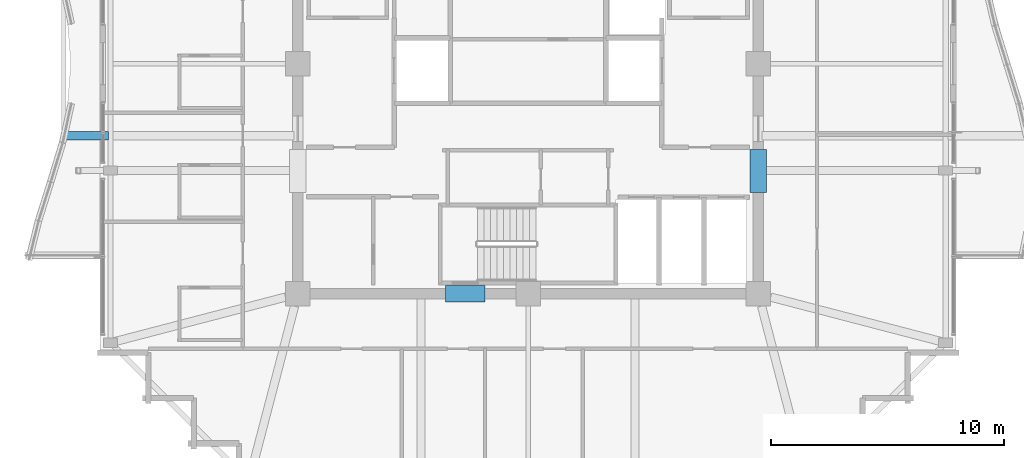
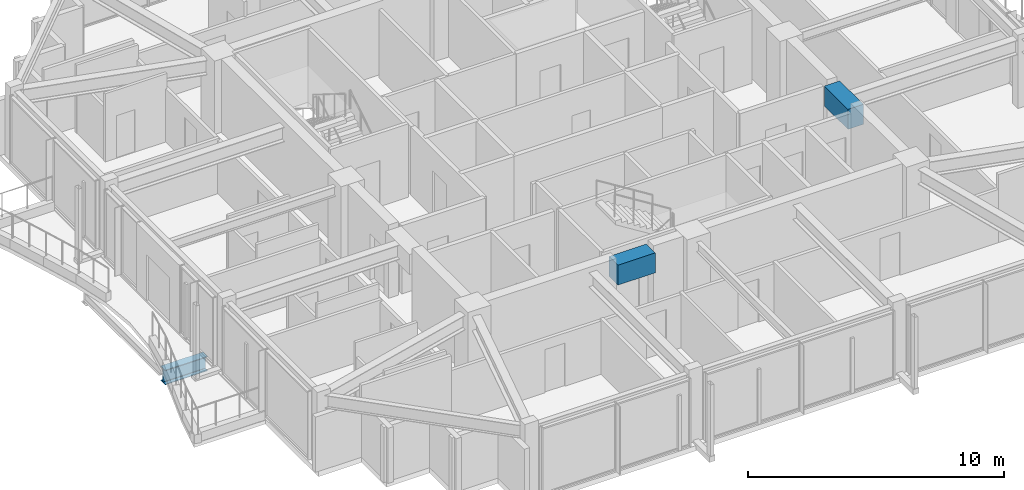
# One storey, part 7 of 31: 3 beams.
"""IFC4 building model written with IfcOpenShell, lengths in metres."""

import ifcopenshell
import ifcopenshell.guid

model = None  # the IFC model being written
_history = None  # IfcOwnerHistory: only IFC2X3 demands one
_inside = {}  # id of a spatial element -> (the spatial element, [elements in it])
_under = {}  # id of a project, library or spatial element -> (it, [spatial elements below it])
_declared = {}  # id of a project -> (the project, [libraries it declares])
_typed = {}  # id of a type object -> (the type object, [elements of that type])
_made_of = {}  # id of a material, layer set ... -> (it, [elements and type objects made of it])


def new_model(schema):
    """Start an empty IFC model of exactly this schema.

    Asked for "IFC4X3", IfcOpenShell would pick the latest addendum, in which some entities
    have other attributes; the version numbers below select the first issue.
    IFC2X3 requires an IfcOwnerHistory on every rooted entity: one is made here for all.
    """
    global model, _history
    if schema == "IFC4X3":
        model = ifcopenshell.file(schema_version=(4, 3, 0, 0))
    else:
        model = ifcopenshell.file(schema=schema)
    _inside.clear()
    _under.clear()
    _declared.clear()
    _typed.clear()
    _made_of.clear()
    _history = None
    if model.schema == "IFC2X3":
        org = make("IfcOrganization", Name="unknown")
        user = make(
            "IfcPersonAndOrganization",
            ThePerson=make("IfcPerson", FamilyName="unknown"),
            TheOrganization=org,
        )
        app = make(
            "IfcApplication",
            ApplicationDeveloper=org,
            Version="unknown",
            ApplicationFullName="unknown",
            ApplicationIdentifier="unknown",
        )
        _history = make(
            "IfcOwnerHistory",
            OwningUser=user,
            OwningApplication=app,
            ChangeAction="ADDED",
            CreationDate=0,
        )
    return model


def make(cls, **values):
    """One entity of the class cls with the attributes given. An attribute that is None is left unset."""
    return model.create_entity(
        cls, **{name: value for name, value in values.items() if value is not None}
    )


def rooted(cls, **values):
    """An entity with a GlobalId (a new one), such as an element, a storey or a relation."""
    return make(cls, GlobalId=ifcopenshell.guid.new(), OwnerHistory=_history, **values)


def si_unit(unit_type, name, prefix=None):
    """IfcSIUnit, for example si_unit("LENGTHUNIT", "METRE", prefix="MILLI")."""
    return make("IfcSIUnit", UnitType=unit_type, Prefix=prefix, Name=name)


def assignment(units):
    """IfcUnitAssignment: the units of a project."""
    return None if units is None else make("IfcUnitAssignment", Units=units)


def point(xyz):
    """IfcCartesianPoint."""
    return None if xyz is None else make("IfcCartesianPoint", Coordinates=xyz)


def direction(xyz):
    """IfcDirection."""
    return None if xyz is None else make("IfcDirection", DirectionRatios=xyz)


def frame(location, z_axis=None, x_axis=None):
    """IfcAxis2Placement3D, a coordinate frame: its origin and axes. An axis left out is left unset."""
    return make(
        "IfcAxis2Placement3D",
        Location=point(location),
        Axis=direction(z_axis),
        RefDirection=direction(x_axis),
    )


def frame_2d(location, x_axis=None):
    """IfcAxis2Placement2D, a coordinate frame in the plane: its origin and x axis."""
    return make(
        "IfcAxis2Placement2D", Location=point(location), RefDirection=direction(x_axis)
    )


def origin():
    """The frame at (0, 0, 0) with its axes left unset."""
    return frame((0.0, 0.0, 0.0))


def origin_2d():
    """The frame at (0, 0) in the plane with its x axis left unset."""
    return frame_2d((0.0, 0.0))


def place(relative_to, where):
    """IfcLocalPlacement: puts the frame where relative to a parent placement (None: the world)."""
    return make(
        "IfcLocalPlacement", PlacementRelTo=relative_to, RelativePlacement=where
    )


def context(
    kind, dimensions, precision=None, world=None, true_north=None, identifier=None
):
    """IfcGeometricRepresentationContext, for example the 3D "Model" context."""
    return make(
        "IfcGeometricRepresentationContext",
        ContextIdentifier=identifier,
        ContextType=kind,
        CoordinateSpaceDimension=dimensions,
        Precision=precision,
        WorldCoordinateSystem=world,
        TrueNorth=true_north,
    )


def subcontext(parent, identifier, kind, view, scale=None):
    """IfcGeometricRepresentationSubContext, for example "Body" below "Model"."""
    return make(
        "IfcGeometricRepresentationSubContext",
        ContextIdentifier=identifier,
        ContextType=kind,
        ParentContext=parent,
        TargetScale=scale,
        TargetView=view,
    )


def project(units=None, contexts=None):
    """IfcProject with its units and contexts."""
    return rooted(
        "IfcProject",
        Name="project",
        RepresentationContexts=contexts,
        UnitsInContext=assignment(units),
    )


def spatial(cls, under=None, at=None, **own):
    """A site, building, storey or space (cls), placed at a placement, below another one or the project."""
    s = rooted(cls, ObjectPlacement=at, **own)
    if under is not None:
        _under.setdefault(under.id(), (under, []))[1].append(s)
    return s


def profile(cls, at=None, kind="AREA", **sizes):
    """A parametric profile (cls). Its sizes go by their IFC names, for example OverallWidth=200.0."""
    return make(cls, ProfileType=kind, Position=at, **sizes)


def rectangle(**sizes):
    """IfcRectangleProfileDef."""
    return profile("IfcRectangleProfileDef", **sizes)


def i_section(**sizes):
    """IfcIShapeProfileDef."""
    return profile("IfcIShapeProfileDef", **sizes)


def extrude(swept, where, along, depth):
    """IfcExtrudedAreaSolid: the profile swept, set in the frame where, extruded along a direction by depth."""
    return make(
        "IfcExtrudedAreaSolid",
        SweptArea=swept,
        Position=where,
        ExtrudedDirection=direction(along),
        Depth=depth,
    )


def shape(context_of_items, identifier, shape_type, items):
    """IfcShapeRepresentation: the items that make up one representation, for example the "Body"."""
    return make(
        "IfcShapeRepresentation",
        ContextOfItems=context_of_items,
        RepresentationIdentifier=identifier,
        RepresentationType=shape_type,
        Items=items,
    )


def material(Name=None, Category=None):
    """IfcMaterial."""
    return make("IfcMaterial", Name=Name, Category=Category)


def material_profile(
    of_material, cross_section, Name=None, Category=None, Priority=None
):
    """IfcMaterialProfile: a cross section and its material."""
    return make(
        "IfcMaterialProfile",
        Name=Name,
        Material=of_material,
        Profile=cross_section,
        Priority=Priority,
        Category=Category,
    )


def profile_set(profiles, Name=None, composite=None):
    """IfcMaterialProfileSet."""
    return make(
        "IfcMaterialProfileSet",
        Name=Name,
        MaterialProfiles=profiles,
        CompositeProfile=composite,
    )


def made_of(thing, what):
    """Note that an element or type object is made of a material, layer set ...; save() writes the relation."""
    if what is not None:
        _made_of.setdefault(what.id(), (what, []))[1].append(thing)
    return thing


def type_object(cls, material=None, **own):
    """A type object (cls), such as IfcWallType, which elements share."""
    return made_of(rooted(cls, **own), material)


def element(
    cls,
    number,
    at=None,
    inside=None,
    cuts=None,
    type_object=None,
    material=None,
    context=None,
    identifier="Body",
    shape_type=None,
    held_by="IfcProductDefinitionShape",
    body=None,
    shapes=None,
    **own,
):
    """One element of the class cls, such as IfcWall. Its Tag is "e" and its number.

    at: its placement. inside: the storey or other place that contains it. cuts: it is an
    opening in that element (IfcRelVoidsElement). A single representation is given by context,
    identifier, shape_type and body (its items); several are given by shapes. held_by: the class
    of the entity that holds the representations. save() writes the other relations.
    """
    e = rooted(cls, Tag="e%d" % number, ObjectPlacement=at, **own)
    if body is not None:
        shapes = [shape(context, identifier, shape_type, body)]
    if shapes is not None:
        e.Representation = make(held_by, Representations=shapes)
    if inside is not None:
        _inside.setdefault(inside.id(), (inside, []))[1].append(e)
    if cuts is not None:
        rooted(
            "IfcRelVoidsElement", RelatingBuildingElement=cuts, RelatedOpeningElement=e
        )
    if type_object is not None:
        _typed.setdefault(type_object.id(), (type_object, []))[1].append(e)
    return made_of(e, material)


def aggregate(whole, parts):
    """IfcRelAggregates: a whole, such as a stair, and the parts it consists of."""
    return rooted("IfcRelAggregates", RelatingObject=whole, RelatedObjects=parts)


def save(model, path):
    """Write the relations noted so far, then the file.

    IfcRelAggregates (storeys below a building ...), IfcRelContainedInSpatialStructure (elements
    in a storey), IfcRelDefinesByType, IfcRelAssociatesMaterial and IfcRelDeclares: one each for
    every whole, place, type object, material and project.
    """
    for whole, parts in _under.values():
        aggregate(whole, parts)
    for where, things in _inside.values():
        rooted(
            "IfcRelContainedInSpatialStructure",
            RelatedElements=things,
            RelatingStructure=where,
        )
    for kind, things in _typed.values():
        rooted("IfcRelDefinesByType", RelatedObjects=things, RelatingType=kind)
    for what, things in _made_of.values():
        rooted("IfcRelAssociatesMaterial", RelatedObjects=things, RelatingMaterial=what)
    for by, libraries in _declared.values():
        rooted("IfcRelDeclares", RelatingContext=by, RelatedDefinitions=libraries)
    model.write(path)


model = new_model("IFC4")

# Units and contexts
model_context = context("Model", 3, precision=1e-05, world=origin(), true_north=direction((0.0, 1.0)))
body_context = subcontext(model_context, "Body", "Model", "MODEL_VIEW")
ifc_project = project(units=[si_unit("LENGTHUNIT", "METRE"), si_unit("AREAUNIT", "SQUARE_METRE"), si_unit("VOLUMEUNIT", "CUBIC_METRE"), si_unit("PLANEANGLEUNIT", "RADIAN"), si_unit("MASSUNIT", "GRAM", prefix="KILO")], contexts=[model_context])

# Site, building, storey
site_placement = place(None, origin())
site = spatial("IfcSite", under=ifc_project, at=site_placement, CompositionType="ELEMENT")
building_placement = place(site_placement, origin())
building = spatial("IfcBuilding", under=site, at=building_placement, Name="Kolvaren Belvedere", CompositionType="ELEMENT")
storey_placement = place(building_placement, frame((0.0, 0.0, 251.39990234375)))
storey = spatial("IfcBuildingStorey", under=building, at=storey_placement, Name="L73", CompositionType="ELEMENT", Elevation=251.39990234375)

# Beams
ifc_material_1 = material(Name="Structural steel ASTM A992 Grade 50", Category="steel")
ifc_material_profile_1 = material_profile(ifc_material_1, i_section(OverallWidth=0.35498046875, OverallDepth=0.696044921875, WebThickness=0.015380859375, FlangeThickness=0.02490234375, FilletRadius=0.02197265625, at=origin_2d()), Name="W27X146")
ifc_profile_set_1 = profile_set([ifc_material_profile_1], Name="Structural steel ASTM A992 Grade 50")
beam_type_1 = type_object("IfcBeamType", Name="BM-CANT-BAL", PredefinedType="BEAM", material=ifc_profile_set_1)
beam_1_placement = place(storey_placement, frame((-18.044921875, -3.10009765625, -0.597900390625), z_axis=(-1.0, 0.0, 0.0), x_axis=(0.0, -1.0, 0.0)))
element("IfcBeam", 1, at=beam_1_placement, inside=storey, type_object=beam_type_1, Name="L73 Planted Balcony Cantilever BAL-W-1", PredefinedType="BEAM", context=body_context, shape_type="SweptSolid", body=[
    extrude(i_section(OverallWidth=0.35498046875, OverallDepth=0.696044921875, WebThickness=0.015380859375, FlangeThickness=0.02490234375, FilletRadius=0.02197265625, at=origin_2d()), origin(), (0.0, 0.0, 1.0), 1.91943359375),
])
ifc_material_2 = material(Name="Concrete C60/75", Category="concrete")
ifc_material_profile_2 = material_profile(ifc_material_2, rectangle(XDim=0.699951171875, YDim=0.949951171875, at=origin_2d()), Name="RC 700X950")
ifc_profile_set_2 = profile_set([ifc_material_profile_2], Name="Concrete C60/75")
beam_type_2 = type_object("IfcBeamType", Name="BM-LINT-950", PredefinedType="LINTEL", material=ifc_profile_set_2)
beam_2_placement = place(storey_placement, frame((-3.5400390625, -9.89990234375, 2.775146484375), z_axis=(1.0, 0.0, 0.0), x_axis=(0.0, 1.0, 0.0)))
element("IfcBeam", 2, at=beam_2_placement, inside=storey, type_object=beam_type_2, Name="L73 South Core Coupling Lintel", PredefinedType="LINTEL", context=body_context, shape_type="SweptSolid", body=[
    extrude(rectangle(XDim=0.699951171875, YDim=0.949951171875, at=origin_2d()), origin(), (0.0, 0.0, 1.0), 1.679931640625),
])
beam_3_placement = place(storey_placement, frame((9.89990234375, -5.550048828125, 2.775146484375), z_axis=(0.0, 1.0, 0.0), x_axis=(-1.0, 0.0, 0.0)))
element("IfcBeam", 3, at=beam_3_placement, inside=storey, type_object=beam_type_2, Name="L73 East Core Coupling Lintel", PredefinedType="LINTEL", context=body_context, shape_type="SweptSolid", body=[
    extrude(rectangle(XDim=0.699951171875, YDim=0.949951171875, at=origin_2d()), origin(), (0.0, 0.0, 1.0), 1.85009765625),
])

save(model, "model.ifc")
